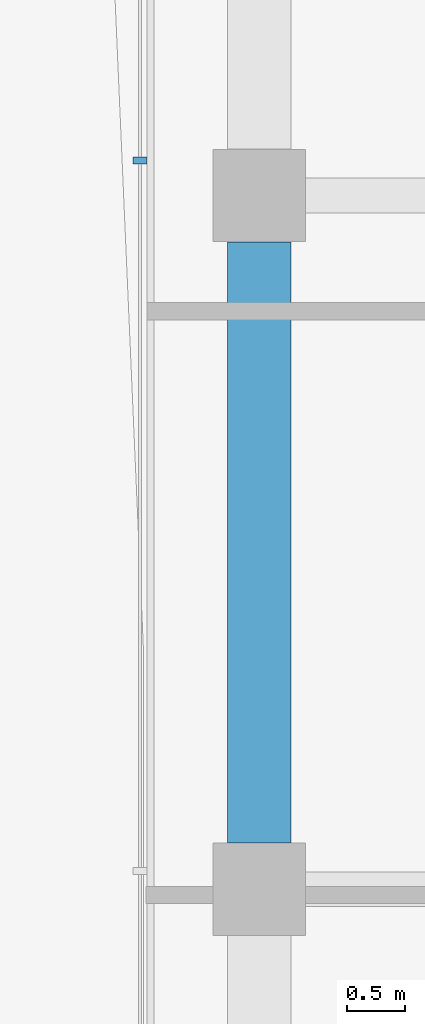
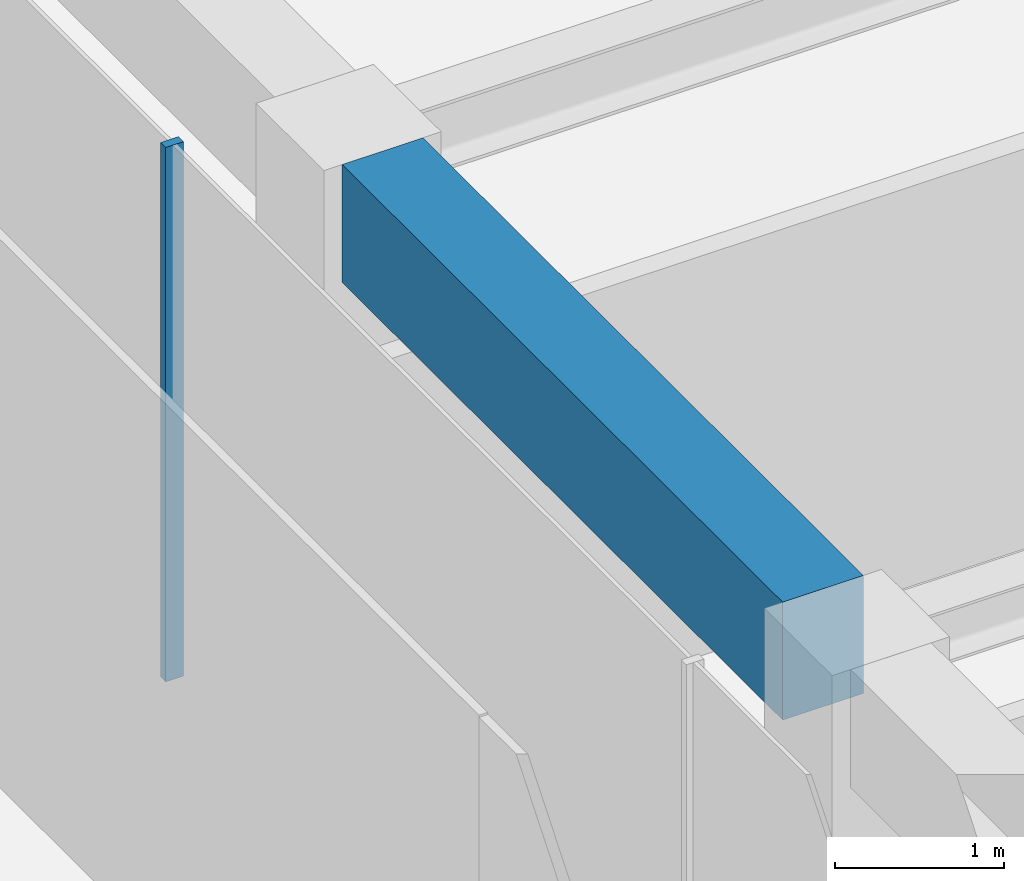
# One storey, part 7 of 21: 1 beam, 1 member, 1 element without a shape of its own.
"""IFC4 building model written with IfcOpenShell, lengths in metres."""

from ifc_helpers import new_model, si_unit, direction, frame, origin, origin_2d, place, context, subcontext, project, spatial, rectangle, extrude, material, layer, layer_set, material_profile, profile_set, type_object, element, aggregate, save


model = new_model("IFC4")

# Units and contexts
model_context = context("Model", 3, precision=1e-05, world=origin(), true_north=direction((0.0, 1.0)))
body_context = subcontext(model_context, "Body", "Model", "MODEL_VIEW")
ifc_project = project(units=[si_unit("LENGTHUNIT", "METRE"), si_unit("AREAUNIT", "SQUARE_METRE"), si_unit("VOLUMEUNIT", "CUBIC_METRE"), si_unit("PLANEANGLEUNIT", "RADIAN"), si_unit("MASSUNIT", "GRAM", prefix="KILO")], contexts=[model_context])

# Site, building, storey
site_placement = place(None, origin())
site = spatial("IfcSite", under=ifc_project, at=site_placement, CompositionType="ELEMENT")
building_placement = place(site_placement, origin())
building = spatial("IfcBuilding", under=site, at=building_placement, Name="Welwitschia Terrace Campus", CompositionType="ELEMENT")
storey_placement = place(building_placement, frame((0.0, 0.0, 218.0)))
storey = spatial("IfcBuildingStorey", under=building, at=storey_placement, Name="L48", CompositionType="ELEMENT", Elevation=218.0)

# Curtain wall, member
ifc_material_1 = material(Name="Bronze anodised aluminium", Category="aluminium")
ifc_layer = layer(ifc_material_1, 0.1201171875)
ifc_layer_set = layer_set([ifc_layer], Name="Bronze anodised aluminium")
curtain_wall_type = type_object("IfcCurtainWallType", Name="Curtain wall CW2 tower 6000", PredefinedType="NOTDEFINED", material=ifc_layer_set)
curtain_wall_placement = place(storey_placement, origin())
curtain_wall = element("IfcCurtainWall", 1, at=curtain_wall_placement, inside=storey, type_object=curtain_wall_type, Name="CW L48.9.0", PredefinedType="NOTDEFINED")
ifc_material_2 = material(Name="Bronze anodised aluminium", Category="aluminium")
ifc_material_profile_1 = material_profile(ifc_material_2, rectangle(XDim=0.1201171875, YDim=0.06005859375, at=origin_2d()))
ifc_profile_set_1 = profile_set([ifc_material_profile_1], Name="Bronze anodised aluminium")
member_type = type_object("IfcMemberType", Name="Mullion 60x120", PredefinedType="MULLION", material=ifc_profile_set_1)
member_placement = place(storey_placement, frame((-1.030029296875, 40.3017578125, 0.0), z_axis=(0.0, 0.0, 1.0), x_axis=(1.0, 0.0, 0.0)))
member = element("IfcMember", 2, at=member_placement, type_object=member_type, Name="Mullion L48.9.0.5", PredefinedType="MULLION", context=body_context, shape_type="SweptSolid", body=[
    extrude(rectangle(XDim=0.1201171875, YDim=0.06005859375, at=origin_2d()), origin(), (0.0, 0.0, 1.0), 3.85009765625),
])
aggregate(curtain_wall, [member])

# Beam
ifc_material_3 = material(Name="Concrete C50/60", Category="concrete")
ifc_material_profile_2 = material_profile(ifc_material_3, rectangle(XDim=0.550048828125, YDim=0.85009765625, at=origin_2d()))
ifc_profile_set_2 = profile_set([ifc_material_profile_2], Name="Concrete C50/60")
beam_type = type_object("IfcBeamType", Name="Ring spandrel 550x850", PredefinedType="SPANDREL", material=ifc_profile_set_2)
beam_placement = place(storey_placement, frame((0.0, 39.599609375, 3.425048828125), z_axis=(0.0, -1.0, 0.0), x_axis=(1.0, 0.0, 0.0)))
element("IfcBeam", 3, at=beam_placement, inside=storey, type_object=beam_type, Name="Spandrel SP3", PredefinedType="SPANDREL", context=body_context, shape_type="SweptSolid", body=[
    extrude(rectangle(XDim=0.550048828125, YDim=0.85009765625, at=origin_2d()), origin(), (0.0, 0.0, 1.0), 5.19921875),
])

save(model, "model.ifc")
